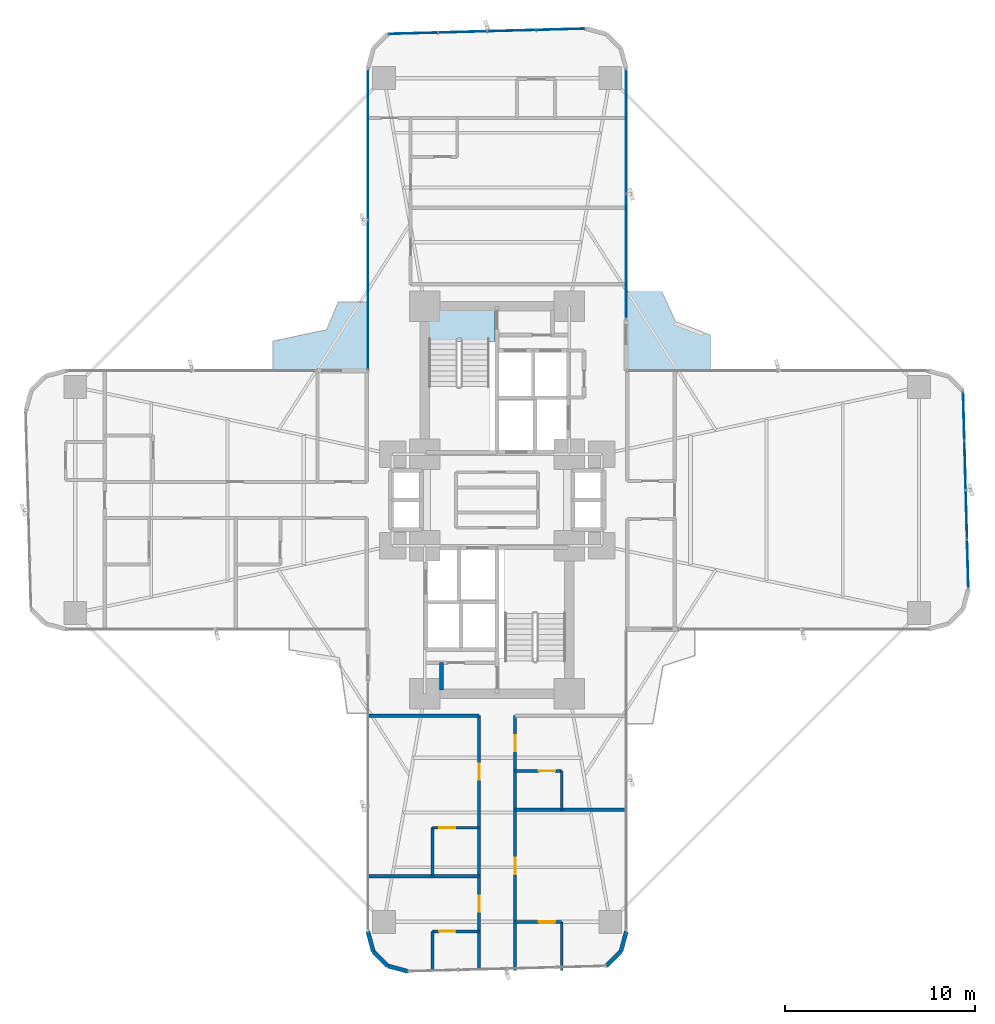
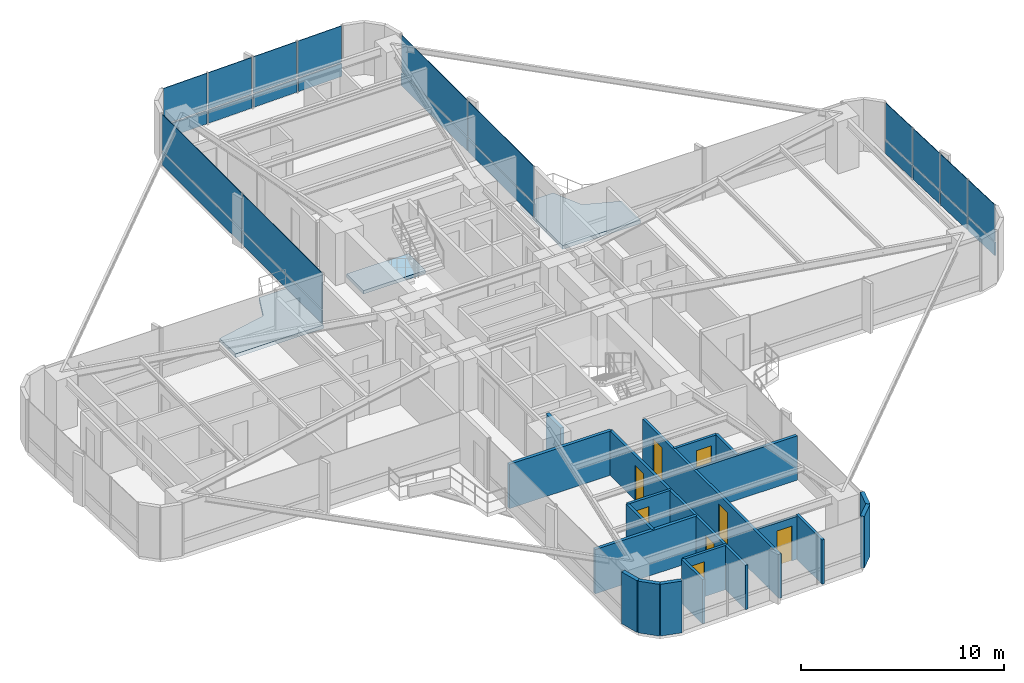
# One storey, part 21 of 25: 24 plates, 19 walls, 8 doors, 3 slabs, 8 openings, 4 elements without a shape of their own.
"""IFC4 building model written with IfcOpenShell, lengths in metres."""

from ifc_helpers import new_model, si_unit, direction, frame, frame_2d, origin, origin_2d, place, context, subcontext, project, spatial, polyline, rectangle, outline, extrude, source, transform, mapped, material, layer, layer_set, type_object, element, fill, aggregate, save


model = new_model("IFC4")

# Units and contexts
model_context = context("Model", 3, precision=1e-05, world=origin(), true_north=direction((0.0, 1.0)))
body_context = subcontext(model_context, "Body", "Model", "MODEL_VIEW")
ifc_project = project(units=[si_unit("LENGTHUNIT", "METRE"), si_unit("AREAUNIT", "SQUARE_METRE"), si_unit("VOLUMEUNIT", "CUBIC_METRE"), si_unit("PLANEANGLEUNIT", "RADIAN"), si_unit("MASSUNIT", "GRAM", prefix="KILO")], contexts=[model_context])

# Site, building, storey
site_placement = place(None, origin())
site = spatial("IfcSite", under=ifc_project, at=site_placement, CompositionType="ELEMENT")
building_placement = place(site_placement, origin())
building = spatial("IfcBuilding", under=site, at=building_placement, Name="Sahyath Konkavel Grand Hotel", CompositionType="ELEMENT")
storey_placement = place(building_placement, frame((0.0, 0.0, 67.800048828125)))
storey = spatial("IfcBuildingStorey", under=building, at=storey_placement, Name="L18", CompositionType="ELEMENT", Elevation=67.800048828125)

# Slabs
ifc_material_1 = material(Name="Concrete C40/50", Category="concrete")
ifc_layer_1 = layer(ifc_material_1, 0.219970703125)
ifc_layer_set_1 = layer_set([ifc_layer_1], Name="Concrete C40/50")
slab_type_1 = type_object("IfcSlabType", Name="SLB-BALCONY-220", PredefinedType="FLOOR", material=ifc_layer_set_1)
slab_1_placement = place(storey_placement, frame((0.0, 0.0, -0.219970703125)))
element("IfcSlab", 1, at=slab_1_placement, inside=storey, type_object=slab_type_1, Name="L18 Winter-Garden Balcony NE", PredefinedType="FLOOR", context=body_context, shape_type="SweptSolid", body=[
    extrude(outline(polyline([(6.800048828125, 6.800048828125), (11.241943359375, 6.800048828125), (11.241943359375, 8.6640625), (9.388916015625, 9.388916015625), (8.6640625, 10.9580078125), (6.800048828125, 10.9580078125), (6.800048828125, 6.800048828125)])), origin(), (0.0, 0.0, 1.0), 0.219970703125),
])
slab_2_placement = place(storey_placement, frame((0.0, 0.0, -0.219970703125)))
element("IfcSlab", 2, at=slab_2_placement, inside=storey, type_object=slab_type_1, Name="L18 Winter-Garden Balcony NW", PredefinedType="FLOOR", context=body_context, shape_type="SweptSolid", body=[
    extrude(outline(polyline([(-6.800048828125, 6.800048828125), (-6.800048828125, 10.4150390625), (-8.356689453125, 10.4150390625), (-8.9619140625, 8.9619140625), (-11.784912109375, 8.356689453125), (-11.784912109375, 6.800048828125), (-6.800048828125, 6.800048828125)])), origin(), (0.0, 0.0, 1.0), 0.219970703125),
])
ifc_layer_2 = layer(ifc_material_1, 0.199951171875)
ifc_layer_set_2 = layer_set([ifc_layer_2], Name="Concrete C40/50")
slab_type_2 = type_object("IfcSlabType", Name="SLB-STAIR-LND", PredefinedType="LANDING", material=ifc_layer_set_2)
slab_3_placement = place(storey_placement, frame((0.0, 0.0, -0.199951171875)))
element("IfcSlab", 3, at=slab_3_placement, inside=storey, type_object=slab_type_2, Name="L18 Stair ST-1 Floor Landing Slab", PredefinedType="LANDING", context=body_context, shape_type="SweptSolid", body=[
    extrude(outline(polyline([(-3.6201171875, 8.35009765625), (-0.10009765625, 8.35009765625), (-0.10009765625, 10.02001953125), (-3.6201171875, 10.02001953125), (-3.6201171875, 8.35009765625)])), origin(), (0.0, 0.0, 1.0), 0.199951171875),
])

# Curtain wall, plates
ifc_material_2 = material(Name="Anodised Bronze Aluminium & Low-E Glazing", Category="aluminium")
curtain_wall_type = type_object("IfcCurtainWallType", Name="CW-ZONE1", PredefinedType="NOTDEFINED", material=ifc_material_2)
curtain_wall_1_placement = place(storey_placement, origin())
curtain_wall_1 = element("IfcCurtainWall", 4, at=curtain_wall_1_placement, inside=storey, type_object=curtain_wall_type, Name="L18 Unitised Curtain Wall F15", PredefinedType="NOTDEFINED")
ifc_material_3 = material(Name="Warm Buff Sandstone Cladding", Category="masonry")
ifc_layer_3 = layer(ifc_material_3, 0.074951171875)
ifc_layer_set_3 = layer_set([ifc_layer_3], Name="Warm Buff Sandstone Cladding")
plate_type_1 = type_object("IfcPlateType", Name="PNL-SPANDREL-STONE", PredefinedType="SHEET", material=ifc_layer_set_3)
shared_shape_1 = source(origin(), body_context, "Body", "SweptSolid", [
    extrude(rectangle(XDim=7.830078125, YDim=0.074951171875, at=origin_2d()), origin(), (0.0, 0.0, 1.0), 0.77001953125),
])
plate_1_placement = place(storey_placement, frame((-6.800048828125, 18.705078125, 0.0400390625), z_axis=(0.0, 0.0, 1.0), x_axis=(0.0, -1.0, 0.0)))
plate_1 = element("IfcPlate", 5, at=plate_1_placement, type_object=plate_type_1, Name="L18 Sandstone Relief Spandrel Panel F15-0", PredefinedType="SHEET", context=body_context, shape_type="MappedRepresentation", body=[
    mapped(shared_shape_1, transform((0.0, 0.0, 0.0), scale=1.0)),
])
plate_2_placement = place(storey_placement, frame((-6.800048828125, 10.794921875, 0.0400390625), z_axis=(0.0, 0.0, 1.0), x_axis=(0.0, -1.0, 0.0)))
plate_2 = element("IfcPlate", 6, at=plate_2_placement, type_object=plate_type_1, Name="L18 Sandstone Relief Spandrel Panel F15-1", PredefinedType="SHEET", context=body_context, shape_type="MappedRepresentation", body=[
    mapped(shared_shape_1, transform((0.0, 0.0, 0.0), scale=1.0)),
])
ifc_material_4 = material(Name="Low-E Solar Control Double Glazing", Category="glass")
ifc_layer_4 = layer(ifc_material_4, 0.035888671875)
ifc_layer_set_4 = layer_set([ifc_layer_4], Name="Low-E Solar Control Double Glazing")
plate_type_2 = type_object("IfcPlateType", Name="PNL-VISION-LOWE", PredefinedType="CURTAIN_PANEL", material=ifc_layer_set_4)
shared_shape_2 = source(origin(), body_context, "Body", "SweptSolid", [
    extrude(rectangle(XDim=7.830078125, YDim=0.035888671875, at=origin_2d()), origin(), (0.0, 0.0, 1.0), 2.179931640625),
])
plate_3_placement = place(storey_placement, frame((-6.800048828125, 18.705078125, 0.89013671875), z_axis=(0.0, 0.0, 1.0), x_axis=(0.0, -1.0, 0.0)))
plate_3 = element("IfcPlate", 7, at=plate_3_placement, type_object=plate_type_2, Name="L18 Low-E Vision Glazing Panel F15-0", PredefinedType="CURTAIN_PANEL", context=body_context, shape_type="MappedRepresentation", body=[
    mapped(shared_shape_2, transform((0.0, 0.0, 0.0), scale=1.0)),
])
plate_4_placement = place(storey_placement, frame((-6.800048828125, 10.794921875, 0.89013671875), z_axis=(0.0, 0.0, 1.0), x_axis=(0.0, -1.0, 0.0)))
plate_4 = element("IfcPlate", 8, at=plate_4_placement, type_object=plate_type_2, Name="L18 Low-E Vision Glazing Panel F15-1", PredefinedType="CURTAIN_PANEL", context=body_context, shape_type="MappedRepresentation", body=[
    mapped(shared_shape_2, transform((0.0, 0.0, 0.0), scale=1.0)),
])
aggregate(curtain_wall_1, [plate_1, plate_3, plate_2, plate_4])

curtain_wall_2_placement = place(storey_placement, origin())
curtain_wall_2 = element("IfcCurtainWall", 9, at=curtain_wall_2_placement, inside=storey, type_object=curtain_wall_type, Name="L18 Unitised Curtain Wall F4", PredefinedType="NOTDEFINED")
shared_shape_3 = source(origin(), body_context, "Body", "SweptSolid", [
    extrude(rectangle(XDim=2.513427734375, YDim=0.074951171875, at=origin_2d()), origin(), (0.0, 0.0, 1.0), 0.77001953125),
])
plate_5_placement = place(storey_placement, frame((24.763916015625, -3.36376953125, 0.0400390625), z_axis=(0.0, 0.0, 1.0), x_axis=(-0.026909728301, 0.999637867691, 0.0)))
plate_5 = element("IfcPlate", 10, at=plate_5_placement, type_object=plate_type_1, Name="L18 Sandstone Relief Spandrel Panel F4-0", PredefinedType="SHEET", context=body_context, shape_type="MappedRepresentation", body=[
    mapped(shared_shape_3, transform((0.0, 0.0, 0.0), scale=1.0)),
])
plate_6_placement = place(storey_placement, frame((24.694091796875, -0.771240234375, 0.0400390625), z_axis=(0.0, 0.0, 1.0), x_axis=(-0.026909728301, 0.999637867691, 0.0)))
plate_6 = element("IfcPlate", 11, at=plate_6_placement, type_object=plate_type_1, Name="L18 Sandstone Relief Spandrel Panel F4-1", PredefinedType="SHEET", context=body_context, shape_type="MappedRepresentation", body=[
    mapped(shared_shape_3, transform((0.0, 0.0, 0.0), scale=1.0)),
])
plate_7_placement = place(storey_placement, frame((24.62451171875, 1.8212890625, 0.0400390625), z_axis=(0.0, 0.0, 1.0), x_axis=(-0.026909728301, 0.999637867691, 0.0)))
plate_7 = element("IfcPlate", 12, at=plate_7_placement, type_object=plate_type_1, Name="L18 Sandstone Relief Spandrel Panel F4-2", PredefinedType="SHEET", context=body_context, shape_type="MappedRepresentation", body=[
    mapped(shared_shape_3, transform((0.0, 0.0, 0.0), scale=1.0)),
])
plate_8_placement = place(storey_placement, frame((24.5546875, 4.413818359375, 0.0400390625), z_axis=(0.0, 0.0, 1.0), x_axis=(-0.026909728301, 0.999637867691, 0.0)))
plate_8 = element("IfcPlate", 13, at=plate_8_placement, type_object=plate_type_1, Name="L18 Sandstone Relief Spandrel Panel F4-3", PredefinedType="SHEET", context=body_context, shape_type="MappedRepresentation", body=[
    mapped(shared_shape_3, transform((0.0, 0.0, 0.0), scale=1.0)),
])

curtain_wall_3_placement = place(storey_placement, origin())
curtain_wall_3 = element("IfcCurtainWall", 14, at=curtain_wall_3_placement, inside=storey, type_object=curtain_wall_type, Name="L18 Unitised Curtain Wall F12", PredefinedType="NOTDEFINED")
plate_9_placement = place(storey_placement, frame((3.36376953125, 24.763916015625, 0.0400390625), z_axis=(0.0, 0.0, 1.0), x_axis=(-0.999637867691, -0.026909728301, 0.0)))
plate_9 = element("IfcPlate", 15, at=plate_9_placement, type_object=plate_type_1, Name="L18 Sandstone Relief Spandrel Panel F12-0", PredefinedType="SHEET", context=body_context, shape_type="MappedRepresentation", body=[
    mapped(shared_shape_3, transform((0.0, 0.0, 0.0), scale=1.0)),
])
plate_10_placement = place(storey_placement, frame((0.771240234375, 24.694091796875, 0.0400390625), z_axis=(0.0, 0.0, 1.0), x_axis=(-0.999637867691, -0.026909728301, 0.0)))
plate_10 = element("IfcPlate", 16, at=plate_10_placement, type_object=plate_type_1, Name="L18 Sandstone Relief Spandrel Panel F12-1", PredefinedType="SHEET", context=body_context, shape_type="MappedRepresentation", body=[
    mapped(shared_shape_3, transform((0.0, 0.0, 0.0), scale=1.0)),
])
plate_11_placement = place(storey_placement, frame((-1.8212890625, 24.62451171875, 0.0400390625), z_axis=(0.0, 0.0, 1.0), x_axis=(-0.999637867691, -0.026909728301, 0.0)))
plate_11 = element("IfcPlate", 17, at=plate_11_placement, type_object=plate_type_1, Name="L18 Sandstone Relief Spandrel Panel F12-2", PredefinedType="SHEET", context=body_context, shape_type="MappedRepresentation", body=[
    mapped(shared_shape_3, transform((0.0, 0.0, 0.0), scale=1.0)),
])
plate_12_placement = place(storey_placement, frame((-4.413818359375, 24.5546875, 0.0400390625), z_axis=(0.0, 0.0, 1.0), x_axis=(-0.999637867691, -0.026909728301, 0.0)))
plate_12 = element("IfcPlate", 18, at=plate_12_placement, type_object=plate_type_1, Name="L18 Sandstone Relief Spandrel Panel F12-3", PredefinedType="SHEET", context=body_context, shape_type="MappedRepresentation", body=[
    mapped(shared_shape_3, transform((0.0, 0.0, 0.0), scale=1.0)),
])

# Plate
shared_shape_4 = source(origin(), body_context, "Body", "SweptSolid", [
    extrude(rectangle(XDim=2.513427734375, YDim=0.035888671875, at=origin_2d()), origin(), (0.0, 0.0, 1.0), 2.179931640625),
])
plate_13_placement = place(storey_placement, frame((24.763916015625, -3.36376953125, 0.89013671875), z_axis=(0.0, 0.0, 1.0), x_axis=(-0.026909728301, 0.999637867691, 0.0)))
plate_13 = element("IfcPlate", 19, at=plate_13_placement, type_object=plate_type_2, Name="L18 Low-E Vision Glazing Panel F4-0", PredefinedType="CURTAIN_PANEL", context=body_context, shape_type="MappedRepresentation", body=[
    mapped(shared_shape_4, transform((0.0, 0.0, 0.0), scale=1.0)),
])

plate_14_placement = place(storey_placement, frame((24.694091796875, -0.771240234375, 0.89013671875), z_axis=(0.0, 0.0, 1.0), x_axis=(-0.026909728301, 0.999637867691, 0.0)))
plate_14 = element("IfcPlate", 20, at=plate_14_placement, type_object=plate_type_2, Name="L18 Low-E Vision Glazing Panel F4-1", PredefinedType="CURTAIN_PANEL", context=body_context, shape_type="MappedRepresentation", body=[
    mapped(shared_shape_4, transform((0.0, 0.0, 0.0), scale=1.0)),
])

plate_15_placement = place(storey_placement, frame((24.62451171875, 1.8212890625, 0.89013671875), z_axis=(0.0, 0.0, 1.0), x_axis=(-0.026909728301, 0.999637867691, 0.0)))
plate_15 = element("IfcPlate", 21, at=plate_15_placement, type_object=plate_type_2, Name="L18 Low-E Vision Glazing Panel F4-2", PredefinedType="CURTAIN_PANEL", context=body_context, shape_type="MappedRepresentation", body=[
    mapped(shared_shape_4, transform((0.0, 0.0, 0.0), scale=1.0)),
])

plate_16_placement = place(storey_placement, frame((24.5546875, 4.413818359375, 0.89013671875), z_axis=(0.0, 0.0, 1.0), x_axis=(-0.026909728301, 0.999637867691, 0.0)))
plate_16 = element("IfcPlate", 22, at=plate_16_placement, type_object=plate_type_2, Name="L18 Low-E Vision Glazing Panel F4-3", PredefinedType="CURTAIN_PANEL", context=body_context, shape_type="MappedRepresentation", body=[
    mapped(shared_shape_4, transform((0.0, 0.0, 0.0), scale=1.0)),
])

aggregate(curtain_wall_2, [plate_5, plate_13, plate_6, plate_14, plate_7, plate_15, plate_8, plate_16])

plate_17_placement = place(storey_placement, frame((3.36376953125, 24.763916015625, 0.89013671875), z_axis=(0.0, 0.0, 1.0), x_axis=(-0.999637867691, -0.026909728301, 0.0)))
plate_17 = element("IfcPlate", 23, at=plate_17_placement, type_object=plate_type_2, Name="L18 Low-E Vision Glazing Panel F12-0", PredefinedType="CURTAIN_PANEL", context=body_context, shape_type="MappedRepresentation", body=[
    mapped(shared_shape_4, transform((0.0, 0.0, 0.0), scale=1.0)),
])

plate_18_placement = place(storey_placement, frame((0.771240234375, 24.694091796875, 0.89013671875), z_axis=(0.0, 0.0, 1.0), x_axis=(-0.999637867691, -0.026909728301, 0.0)))
plate_18 = element("IfcPlate", 24, at=plate_18_placement, type_object=plate_type_2, Name="L18 Low-E Vision Glazing Panel F12-1", PredefinedType="CURTAIN_PANEL", context=body_context, shape_type="MappedRepresentation", body=[
    mapped(shared_shape_4, transform((0.0, 0.0, 0.0), scale=1.0)),
])

plate_19_placement = place(storey_placement, frame((-1.8212890625, 24.62451171875, 0.89013671875), z_axis=(0.0, 0.0, 1.0), x_axis=(-0.999637867691, -0.026909728301, 0.0)))
plate_19 = element("IfcPlate", 25, at=plate_19_placement, type_object=plate_type_2, Name="L18 Low-E Vision Glazing Panel F12-2", PredefinedType="CURTAIN_PANEL", context=body_context, shape_type="MappedRepresentation", body=[
    mapped(shared_shape_4, transform((0.0, 0.0, 0.0), scale=1.0)),
])

plate_20_placement = place(storey_placement, frame((-4.413818359375, 24.5546875, 0.89013671875), z_axis=(0.0, 0.0, 1.0), x_axis=(-0.999637867691, -0.026909728301, 0.0)))
plate_20 = element("IfcPlate", 26, at=plate_20_placement, type_object=plate_type_2, Name="L18 Low-E Vision Glazing Panel F12-3", PredefinedType="CURTAIN_PANEL", context=body_context, shape_type="MappedRepresentation", body=[
    mapped(shared_shape_4, transform((0.0, 0.0, 0.0), scale=1.0)),
])

aggregate(curtain_wall_3, [plate_9, plate_17, plate_10, plate_18, plate_11, plate_19, plate_12, plate_20])

# Curtain wall, plates
curtain_wall_4_placement = place(storey_placement, origin())
curtain_wall_4 = element("IfcCurtainWall", 27, at=curtain_wall_4_placement, inside=storey, type_object=curtain_wall_type, Name="L18 Unitised Curtain Wall F8", PredefinedType="NOTDEFINED")
shared_shape_5 = source(origin(), body_context, "Body", "SweptSolid", [
    extrude(rectangle(XDim=6.47998046875, YDim=0.074951171875, at=origin_2d()), origin(), (0.0, 0.0, 1.0), 0.77001953125),
])
plate_21_placement = place(storey_placement, frame((6.800048828125, 12.820068359375, 0.0400390625), z_axis=(0.0, 0.0, 1.0), x_axis=(0.0, 1.0, 0.0)))
plate_21 = element("IfcPlate", 28, at=plate_21_placement, type_object=plate_type_1, Name="L18 Sandstone Relief Spandrel Panel F8-0", PredefinedType="SHEET", context=body_context, shape_type="MappedRepresentation", body=[
    mapped(shared_shape_5, transform((0.0, 0.0, 0.0), scale=1.0)),
])
plate_22_placement = place(storey_placement, frame((6.800048828125, 19.3798828125, 0.0400390625), z_axis=(0.0, 0.0, 1.0), x_axis=(0.0, 1.0, 0.0)))
plate_22 = element("IfcPlate", 29, at=plate_22_placement, type_object=plate_type_1, Name="L18 Sandstone Relief Spandrel Panel F8-1", PredefinedType="SHEET", context=body_context, shape_type="MappedRepresentation", body=[
    mapped(shared_shape_5, transform((0.0, 0.0, 0.0), scale=1.0)),
])
shared_shape_6 = source(origin(), body_context, "Body", "SweptSolid", [
    extrude(rectangle(XDim=6.47998046875, YDim=0.035888671875, at=origin_2d()), origin(), (0.0, 0.0, 1.0), 2.179931640625),
])
plate_23_placement = place(storey_placement, frame((6.800048828125, 12.820068359375, 0.89013671875), z_axis=(0.0, 0.0, 1.0), x_axis=(0.0, 1.0, 0.0)))
plate_23 = element("IfcPlate", 30, at=plate_23_placement, type_object=plate_type_2, Name="L18 Low-E Vision Glazing Panel F8-0", PredefinedType="CURTAIN_PANEL", context=body_context, shape_type="MappedRepresentation", body=[
    mapped(shared_shape_6, transform((0.0, 0.0, 0.0), scale=1.0)),
])
plate_24_placement = place(storey_placement, frame((6.800048828125, 19.3798828125, 0.89013671875), z_axis=(0.0, 0.0, 1.0), x_axis=(0.0, 1.0, 0.0)))
plate_24 = element("IfcPlate", 31, at=plate_24_placement, type_object=plate_type_2, Name="L18 Low-E Vision Glazing Panel F8-1", PredefinedType="CURTAIN_PANEL", context=body_context, shape_type="MappedRepresentation", body=[
    mapped(shared_shape_6, transform((0.0, 0.0, 0.0), scale=1.0)),
])
aggregate(curtain_wall_4, [plate_21, plate_23, plate_22, plate_24])

# Walls
ifc_material_5 = material(Name="Warm Buff Sandstone Insulated Concrete C40/50", Category="masonry")
ifc_layer_5 = layer(ifc_material_5, 0.219970703125)
ifc_layer_set_5 = layer_set([ifc_layer_5], Name="Warm Buff Sandstone Insulated Concrete C40/50")
wall_type_1 = type_object("IfcWallType", Name="WLL-BALC-THRESH", PredefinedType="STANDARD", material=ifc_layer_set_5)
for number, where, z_axis, x_axis, name in (
    (32, (-6.800048828125, -22.699951171875, 0.0), (0.0, 0.0, 1.0), (0.25872485917, -0.965951058412, 0.0), "L18 Rounded Corner Sandstone Pier 25"),
    (33, (-6.518798828125, -23.75, 0.0), (0.0, 0.0, 1.0), (0.707106781187, -0.707106781187, 0.0), "L18 Rounded Corner Sandstone Pier 26"),
    (34, (-5.75, -24.518798828125, 0.0), (0.0, 0.0, 1.0), (0.965951058412, -0.25872485917, 0.0), "L18 Rounded Corner Sandstone Pier 27"),
    (35, (5.75, -24.518798828125, 0.0), (0.0, 0.0, 1.0), (0.707106781187, 0.707106781187, 0.0), "L18 Rounded Corner Sandstone Pier 29"),
    (36, (6.518798828125, -23.75, 0.0), (0.0, 0.0, 1.0), (0.25872485917, 0.965951058412, 0.0), "L18 Rounded Corner Sandstone Pier 30"),
):
    element("IfcWall", number, at=place(storey_placement, frame(where, z_axis=z_axis, x_axis=x_axis)), inside=storey, type_object=wall_type_1, Name=name, PredefinedType="STANDARD", context=body_context, shape_type="SweptSolid", body=[
        extrude(rectangle(XDim=1.087158203125, YDim=0.219970703125, at=frame_2d((0.54345703125, 0.0))), origin(), (0.0, 0.0, 1.0), 3.10986328125),
    ])
ifc_layer_6 = layer(ifc_material_1, 0.199951171875)
ifc_layer_set_6 = layer_set([ifc_layer_6], Name="Concrete C40/50")
wall_type_2 = type_object("IfcWallType", Name="WLL-CORE-200", PredefinedType="SOLIDWALL", material=ifc_layer_set_6)
wall_1_placement = place(storey_placement, frame((-2.919921875, -10.0, 0.0), z_axis=(0.0, 0.0, 1.0), x_axis=(0.0, 1.0, 0.0)))
element("IfcWall", 37, at=wall_1_placement, inside=storey, type_object=wall_type_2, Name="L18 Partition SFF-W2", PredefinedType="SOLIDWALL", context=body_context, shape_type="SweptSolid", body=[
    extrude(rectangle(XDim=1.43994140625, YDim=0.199951171875, at=frame_2d((0.719970703125, 0.0))), origin(), (0.0, 0.0, 1.0), 2.659912109375),
])
ifc_material_6 = material(Name="Twin-Stud Acoustic Gypsum Plasterboard Partition")
ifc_layer_7 = layer(ifc_material_6, 0.179931640625)
ifc_layer_set_7 = layer_set([ifc_layer_7], Name="Twin-Stud Acoustic Gypsum Plasterboard Partition")
wall_type_3 = type_object("IfcWallType", Name="WLL-DEMISE-180", PredefinedType="PARTITIONING", material=ifc_layer_set_7)
for number, where, z_axis, x_axis, name in (
    (38, (-6.75, -11.35009765625, 0.0), (0.0, 0.0, 1.0), (1.0, 0.0, 0.0), "L18 Partition S-INR"),
    (39, (0.949951171875, -16.30810546875, 0.0), (0.0, 0.0, 1.0), (1.0, 0.0, 0.0), "L18 Partition S-S1L-DEM"),
    (40, (-0.949951171875, -19.7919921875, 0.0), (0.0, 0.0, 1.0), (-1.0, 0.0, 0.0), "L18 Partition S-S1R-DEM"),
):
    element("IfcWall", number, at=place(storey_placement, frame(where, z_axis=z_axis, x_axis=x_axis)), inside=storey, type_object=wall_type_3, Name=name, PredefinedType="PARTITIONING", context=body_context, shape_type="SweptSolid", body=[
        extrude(rectangle(XDim=5.800048828125, YDim=0.179931640625, at=frame_2d((2.89990234375, 0.0))), origin(), (0.0, 0.0, 1.0), 2.659912109375),
    ])

# Wall, openings, doors
ifc_material_7 = material(Name="Fire-Rated Gypsum Plasterboard Partition")
ifc_layer_8 = layer(ifc_material_7, 0.14990234375)
ifc_layer_set_8 = layer_set([ifc_layer_8], Name="Fire-Rated Gypsum Plasterboard Partition")
wall_type_4 = type_object("IfcWallType", Name="WLL-PART-150", PredefinedType="PARTITIONING", material=ifc_layer_set_8)
wall_2_placement = place(storey_placement, frame((0.949951171875, -11.35009765625, 0.0), z_axis=(0.0, 0.0, 1.0), x_axis=(0.0, -1.0, 0.0)))
wall_2 = element("IfcWall", 41, at=wall_2_placement, inside=storey, type_object=wall_type_4, Name="L18 Partition S-CL", PredefinedType="PARTITIONING", context=body_context, shape_type="SweptSolid", body=[
    extrude(rectangle(XDim=13.39990234375, YDim=0.14990234375, at=frame_2d((6.699951171875, 0.0))), origin(), (0.0, 0.0, 1.0), 2.659912109375),
])
opening_1_placement = place(wall_2_placement, frame((1.029052734375, 0.0, 0.0)))
opening_1 = element("IfcOpeningElement", 42, at=opening_1_placement, cuts=wall_2, Name="Opening D-F06D", PredefinedType="OPENING", context=body_context, shape_type="SweptSolid", body=[
    extrude(rectangle(XDim=0.85009765625, YDim=2.10009765625, at=frame_2d((0.425048828125, 1.050048828125))), frame((0.0, 0.0849609375, 0.0), z_axis=(0.0, -1.0, 0.0), x_axis=(1.0, 0.0, 0.0)), (0.0, 0.0, 1.0), 0.169921875),
])
opening_2_placement = place(wall_2_placement, frame((7.47900390625, 0.0, 0.0)))
opening_2 = element("IfcOpeningElement", 43, at=opening_2_placement, cuts=wall_2, Name="Opening D-F06D", PredefinedType="OPENING", context=body_context, shape_type="SweptSolid", body=[
    extrude(rectangle(XDim=0.85009765625, YDim=2.10009765625, at=frame_2d((0.425048828125, 1.050048828125))), frame((0.0, 0.0849609375, 0.0), z_axis=(0.0, -1.0, 0.0), x_axis=(1.0, 0.0, 0.0)), (0.0, 0.0, 1.0), 0.169921875),
])
ifc_material_8 = material(Name="Fire-Rated Shaft Access Door")
door_type_1 = type_object("IfcDoorType", Name="DR-FD60-850", OperationType="NOTDEFINED", PredefinedType="DOOR", material=ifc_material_8)
shared_shape_7 = source(origin(), body_context, "Body", "SweptSolid", [
    extrude(rectangle(XDim=0.85009765625, YDim=0.050048828125, at=origin_2d()), origin(), (0.0, 0.0, 1.0), 2.10009765625),
])
door_1_placement = place(opening_1_placement, frame((0.425048828125, 0.0, 0.0)))
door_1 = element("IfcDoor", 44, at=door_1_placement, inside=storey, type_object=door_type_1, Name="L18 Door S-S1L-ED", OperationType="SINGLE_SWING_LEFT", OverallHeight=2.10009765625, OverallWidth=0.85009765625, PredefinedType="DOOR", context=body_context, shape_type="MappedRepresentation", body=[
    mapped(shared_shape_7, transform((0.0, 0.0, 0.0), scale=1.0)),
])
fill(opening_1, door_1)
door_2_placement = place(opening_2_placement, frame((0.425048828125, 0.0, 0.0)))
door_2 = element("IfcDoor", 45, at=door_2_placement, inside=storey, type_object=door_type_1, Name="L18 Door S-S2L-ED", OperationType="SINGLE_SWING_LEFT", OverallHeight=2.10009765625, OverallWidth=0.85009765625, PredefinedType="DOOR", context=body_context, shape_type="MappedRepresentation", body=[
    mapped(shared_shape_7, transform((0.0, 0.0, 0.0), scale=1.0)),
])
fill(opening_2, door_2)

wall_3_placement = place(storey_placement, frame((-0.949951171875, -11.35009765625, 0.0), z_axis=(0.0, 0.0, 1.0), x_axis=(0.0, -1.0, 0.0)))
wall_3 = element("IfcWall", 46, at=wall_3_placement, inside=storey, type_object=wall_type_4, Name="L18 Partition S-CR", PredefinedType="PARTITIONING", context=body_context, shape_type="SweptSolid", body=[
    extrude(rectangle(XDim=13.39990234375, YDim=0.14990234375, at=frame_2d((6.699951171875, 0.0))), origin(), (0.0, 0.0, 1.0), 2.659912109375),
])
opening_3_placement = place(wall_3_placement, frame((2.52099609375, 0.0, 0.0)))
opening_3 = element("IfcOpeningElement", 47, at=opening_3_placement, cuts=wall_3, Name="Opening D-F06D", PredefinedType="OPENING", context=body_context, shape_type="SweptSolid", body=[
    extrude(rectangle(XDim=0.85009765625, YDim=2.10009765625, at=frame_2d((0.425048828125, 1.050048828125))), frame((0.0, 0.0849609375, 0.0), z_axis=(0.0, -1.0, 0.0), x_axis=(1.0, 0.0, 0.0)), (0.0, 0.0, 1.0), 0.169921875),
])
opening_4_placement = place(wall_3_placement, frame((9.470947265625, 0.0, 0.0)))
opening_4 = element("IfcOpeningElement", 48, at=opening_4_placement, cuts=wall_3, Name="Opening D-F06D", PredefinedType="OPENING", context=body_context, shape_type="SweptSolid", body=[
    extrude(rectangle(XDim=0.85009765625, YDim=2.10009765625, at=frame_2d((0.425048828125, 1.050048828125))), frame((0.0, 0.0849609375, 0.0), z_axis=(0.0, -1.0, 0.0), x_axis=(1.0, 0.0, 0.0)), (0.0, 0.0, 1.0), 0.169921875),
])
door_3_placement = place(opening_3_placement, frame((0.425048828125, 0.0, 0.0)))
door_3 = element("IfcDoor", 49, at=door_3_placement, inside=storey, type_object=door_type_1, Name="L18 Door S-S1R-ED", OperationType="SINGLE_SWING_LEFT", OverallHeight=2.10009765625, OverallWidth=0.85009765625, PredefinedType="DOOR", context=body_context, shape_type="MappedRepresentation", body=[
    mapped(shared_shape_7, transform((0.0, 0.0, 0.0), scale=1.0)),
])
fill(opening_3, door_3)
door_4_placement = place(opening_4_placement, frame((0.425048828125, 0.0, 0.0)))
door_4 = element("IfcDoor", 50, at=door_4_placement, inside=storey, type_object=door_type_1, Name="L18 Door S-S2R-ED", OperationType="SINGLE_SWING_LEFT", OverallHeight=2.10009765625, OverallWidth=0.85009765625, PredefinedType="DOOR", context=body_context, shape_type="MappedRepresentation", body=[
    mapped(shared_shape_7, transform((0.0, 0.0, 0.0), scale=1.0)),
])
fill(opening_4, door_4)

# Wall, opening, door
wall_4_placement = place(storey_placement, frame((0.949951171875, -14.258056640625, 0.0), z_axis=(0.0, 0.0, 1.0), x_axis=(1.0, 0.0, 0.0)))
wall_4 = element("IfcWall", 51, at=wall_4_placement, inside=storey, type_object=wall_type_4, Name="L18 Partition S-S1L-BS", PredefinedType="PARTITIONING", context=body_context, shape_type="SweptSolid", body=[
    extrude(rectangle(XDim=2.449951171875, YDim=0.14990234375, at=frame_2d((1.22509765625, 0.0))), origin(), (0.0, 0.0, 1.0), 2.659912109375),
])
opening_5_placement = place(wall_4_placement, frame((1.25, 0.0, 0.0)))
opening_5 = element("IfcOpeningElement", 52, at=opening_5_placement, cuts=wall_4, Name="Opening D-BT85", PredefinedType="OPENING", context=body_context, shape_type="SweptSolid", body=[
    extrude(rectangle(XDim=0.85009765625, YDim=2.10009765625, at=frame_2d((0.425048828125, 1.050048828125))), frame((0.0, 0.0849609375, 0.0), z_axis=(0.0, -1.0, 0.0), x_axis=(1.0, 0.0, 0.0)), (0.0, 0.0, 1.0), 0.169921875),
])
ifc_material_9 = material(Name="Moisture-Resistant Teak Bathroom Door")
door_type_2 = type_object("IfcDoorType", Name="DR-BATH-850", OperationType="NOTDEFINED", PredefinedType="DOOR", material=ifc_material_9)
door_5_placement = place(opening_5_placement, frame((0.425048828125, 0.0, 0.0)))
door_5 = element("IfcDoor", 53, at=door_5_placement, inside=storey, type_object=door_type_2, Name="L18 Door S-S1L-BD", OperationType="SINGLE_SWING_RIGHT", OverallHeight=2.10009765625, OverallWidth=0.85009765625, PredefinedType="DOOR", context=body_context, shape_type="MappedRepresentation", body=[
    mapped(shared_shape_7, transform((0.0, 0.0, 0.0), scale=1.0)),
])
fill(opening_5, door_5)

# Wall
wall_5_placement = place(storey_placement, frame((3.39990234375, -14.258056640625, 0.0), z_axis=(0.0, 0.0, 1.0), x_axis=(0.0, -1.0, 0.0)))
element("IfcWall", 54, at=wall_5_placement, inside=storey, type_object=wall_type_4, Name="L18 Partition S-S1L-BF", PredefinedType="PARTITIONING", context=body_context, shape_type="SweptSolid", body=[
    extrude(rectangle(XDim=2.050048828125, YDim=0.14990234375, at=frame_2d((1.02490234375, 0.0))), origin(), (0.0, 0.0, 1.0), 2.659912109375),
])

# Wall, opening, door
wall_6_placement = place(storey_placement, frame((0.949951171875, -22.199951171875, 0.0), z_axis=(0.0, 0.0, 1.0), x_axis=(1.0, 0.0, 0.0)))
wall_6 = element("IfcWall", 55, at=wall_6_placement, inside=storey, type_object=wall_type_4, Name="L18 Partition S-S2L-BS", PredefinedType="PARTITIONING", context=body_context, shape_type="SweptSolid", body=[
    extrude(rectangle(XDim=2.449951171875, YDim=0.14990234375, at=frame_2d((1.22509765625, 0.0))), origin(), (0.0, 0.0, 1.0), 2.579833984375),
])
opening_6_placement = place(wall_6_placement, frame((1.25, 0.0, 0.0)))
opening_6 = element("IfcOpeningElement", 56, at=opening_6_placement, cuts=wall_6, Name="Opening D-BT85", PredefinedType="OPENING", context=body_context, shape_type="SweptSolid", body=[
    extrude(rectangle(XDim=0.85009765625, YDim=2.10009765625, at=frame_2d((0.425048828125, 1.050048828125))), frame((0.0, 0.0849609375, 0.0), z_axis=(0.0, -1.0, 0.0), x_axis=(1.0, 0.0, 0.0)), (0.0, 0.0, 1.0), 0.169921875),
])
door_6_placement = place(opening_6_placement, frame((0.425048828125, 0.0, 0.0)))
door_6 = element("IfcDoor", 57, at=door_6_placement, inside=storey, type_object=door_type_2, Name="L18 Door S-S2L-BD", OperationType="SINGLE_SWING_RIGHT", OverallHeight=2.10009765625, OverallWidth=0.85009765625, PredefinedType="DOOR", context=body_context, shape_type="MappedRepresentation", body=[
    mapped(shared_shape_7, transform((0.0, 0.0, 0.0), scale=1.0)),
])
fill(opening_6, door_6)

# Wall
wall_7_placement = place(storey_placement, frame((3.39990234375, -22.199951171875, 0.0), z_axis=(0.0, 0.0, 1.0), x_axis=(0.0, -1.0, 0.0)))
element("IfcWall", 58, at=wall_7_placement, inside=storey, type_object=wall_type_4, Name="L18 Partition S-S2L-BF", PredefinedType="PARTITIONING", context=body_context, shape_type="SweptSolid", body=[
    extrude(rectangle(XDim=2.550048828125, YDim=0.14990234375, at=frame_2d((1.27490234375, 0.0))), origin(), (0.0, 0.0, 1.0), 2.659912109375),
])

# Wall, opening, door
wall_8_placement = place(storey_placement, frame((-0.949951171875, -17.241943359375, 0.0), z_axis=(0.0, 0.0, 1.0), x_axis=(-1.0, 0.0, 0.0)))
wall_8 = element("IfcWall", 59, at=wall_8_placement, inside=storey, type_object=wall_type_4, Name="L18 Partition S-S1R-BS", PredefinedType="PARTITIONING", context=body_context, shape_type="SweptSolid", body=[
    extrude(rectangle(XDim=2.449951171875, YDim=0.14990234375, at=frame_2d((1.22509765625, 0.0))), origin(), (0.0, 0.0, 1.0), 2.659912109375),
])
opening_7_placement = place(wall_8_placement, frame((1.25, 0.0, 0.0)))
opening_7 = element("IfcOpeningElement", 60, at=opening_7_placement, cuts=wall_8, Name="Opening D-BT85", PredefinedType="OPENING", context=body_context, shape_type="SweptSolid", body=[
    extrude(rectangle(XDim=0.85009765625, YDim=2.10009765625, at=frame_2d((0.425048828125, 1.050048828125))), frame((0.0, 0.0849609375, 0.0), z_axis=(0.0, -1.0, 0.0), x_axis=(1.0, 0.0, 0.0)), (0.0, 0.0, 1.0), 0.169921875),
])
door_7_placement = place(opening_7_placement, frame((0.425048828125, 0.0, 0.0)))
door_7 = element("IfcDoor", 61, at=door_7_placement, inside=storey, type_object=door_type_2, Name="L18 Door S-S1R-BD", OperationType="SINGLE_SWING_RIGHT", OverallHeight=2.10009765625, OverallWidth=0.85009765625, PredefinedType="DOOR", context=body_context, shape_type="MappedRepresentation", body=[
    mapped(shared_shape_7, transform((0.0, 0.0, 0.0), scale=1.0)),
])
fill(opening_7, door_7)

# Wall
wall_9_placement = place(storey_placement, frame((-3.39990234375, -17.241943359375, 0.0), z_axis=(0.0, 0.0, 1.0), x_axis=(0.0, -1.0, 0.0)))
element("IfcWall", 62, at=wall_9_placement, inside=storey, type_object=wall_type_4, Name="L18 Partition S-S1R-BF", PredefinedType="PARTITIONING", context=body_context, shape_type="SweptSolid", body=[
    extrude(rectangle(XDim=2.550048828125, YDim=0.14990234375, at=frame_2d((1.27490234375, 0.0))), origin(), (0.0, 0.0, 1.0), 2.659912109375),
])

# Wall, opening, door
wall_10_placement = place(storey_placement, frame((-0.949951171875, -22.699951171875, 0.0), z_axis=(0.0, 0.0, 1.0), x_axis=(-1.0, 0.0, 0.0)))
wall_10 = element("IfcWall", 63, at=wall_10_placement, inside=storey, type_object=wall_type_4, Name="L18 Partition S-S2R-BS", PredefinedType="PARTITIONING", context=body_context, shape_type="SweptSolid", body=[
    extrude(rectangle(XDim=2.449951171875, YDim=0.14990234375, at=frame_2d((1.22509765625, 0.0))), origin(), (0.0, 0.0, 1.0), 2.659912109375),
])
opening_8_placement = place(wall_10_placement, frame((1.25, 0.0, 0.0)))
opening_8 = element("IfcOpeningElement", 64, at=opening_8_placement, cuts=wall_10, Name="Opening D-BT85", PredefinedType="OPENING", context=body_context, shape_type="SweptSolid", body=[
    extrude(rectangle(XDim=0.85009765625, YDim=2.10009765625, at=frame_2d((0.425048828125, 1.050048828125))), frame((0.0, 0.0849609375, 0.0), z_axis=(0.0, -1.0, 0.0), x_axis=(1.0, 0.0, 0.0)), (0.0, 0.0, 1.0), 0.169921875),
])
door_8_placement = place(opening_8_placement, frame((0.425048828125, 0.0, 0.0)))
door_8 = element("IfcDoor", 65, at=door_8_placement, inside=storey, type_object=door_type_2, Name="L18 Door S-S2R-BD", OperationType="SINGLE_SWING_RIGHT", OverallHeight=2.10009765625, OverallWidth=0.85009765625, PredefinedType="DOOR", context=body_context, shape_type="MappedRepresentation", body=[
    mapped(shared_shape_7, transform((0.0, 0.0, 0.0), scale=1.0)),
])
fill(opening_8, door_8)

# Wall
wall_11_placement = place(storey_placement, frame((-3.39990234375, -22.699951171875, 0.0), z_axis=(0.0, 0.0, 1.0), x_axis=(0.0, -1.0, 0.0)))
element("IfcWall", 66, at=wall_11_placement, inside=storey, type_object=wall_type_4, Name="L18 Partition S-S2R-BF", PredefinedType="PARTITIONING", context=body_context, shape_type="SweptSolid", body=[
    extrude(rectangle(XDim=2.050048828125, YDim=0.14990234375, at=frame_2d((1.02490234375, 0.0))), origin(), (0.0, 0.0, 1.0), 2.659912109375),
])

save(model, "model.ifc")
